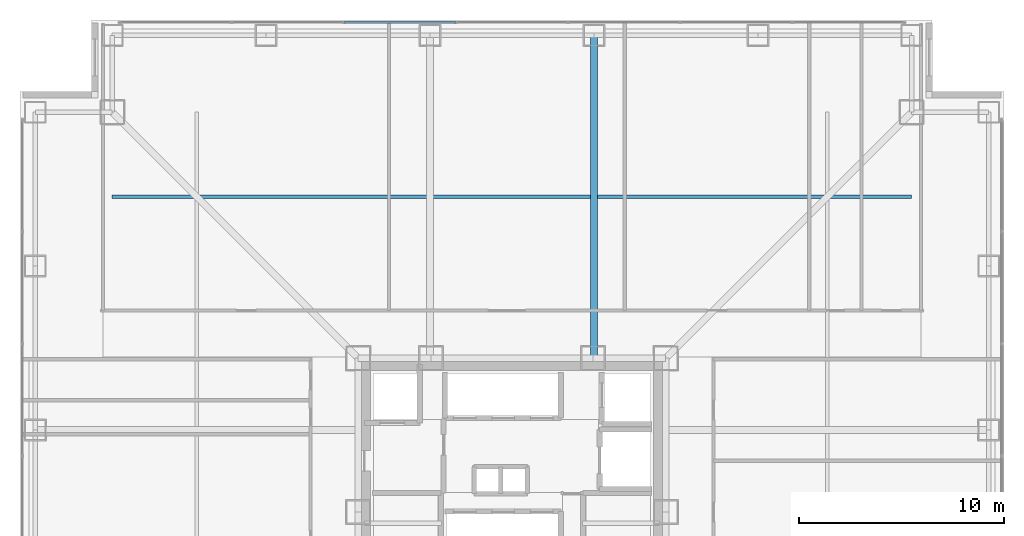
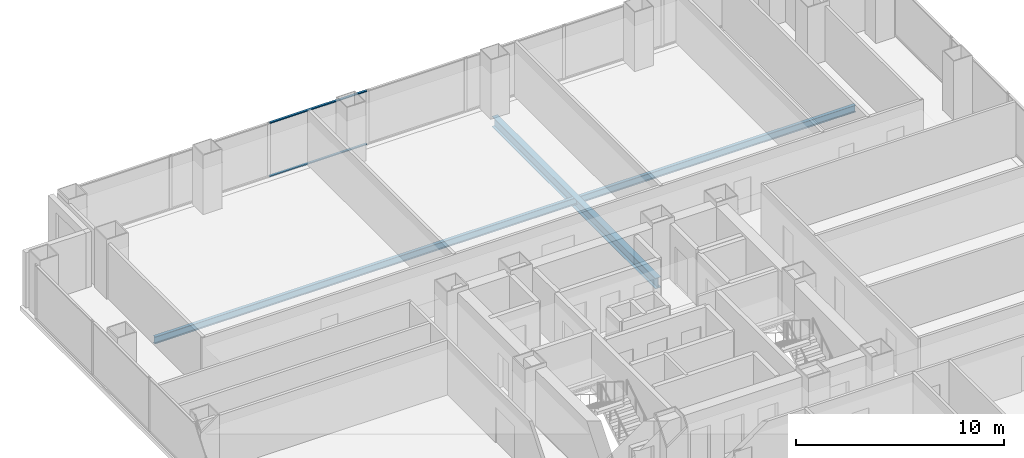
# One storey, part 12 of 19: 2 beams, 2 members, 1 element without a shape of its own.
"""IFC4 building model written with IfcOpenShell, lengths in metres."""

import ifcopenshell
import ifcopenshell.guid

model = None  # the IFC model being written
_history = None  # IfcOwnerHistory: only IFC2X3 demands one
_inside = {}  # id of a spatial element -> (the spatial element, [elements in it])
_under = {}  # id of a project, library or spatial element -> (it, [spatial elements below it])
_declared = {}  # id of a project -> (the project, [libraries it declares])
_typed = {}  # id of a type object -> (the type object, [elements of that type])
_made_of = {}  # id of a material, layer set ... -> (it, [elements and type objects made of it])


def new_model(schema):
    """Start an empty IFC model of exactly this schema.

    Asked for "IFC4X3", IfcOpenShell would pick the latest addendum, in which some entities
    have other attributes; the version numbers below select the first issue.
    IFC2X3 requires an IfcOwnerHistory on every rooted entity: one is made here for all.
    """
    global model, _history
    if schema == "IFC4X3":
        model = ifcopenshell.file(schema_version=(4, 3, 0, 0))
    else:
        model = ifcopenshell.file(schema=schema)
    _inside.clear()
    _under.clear()
    _declared.clear()
    _typed.clear()
    _made_of.clear()
    _history = None
    if model.schema == "IFC2X3":
        org = make("IfcOrganization", Name="unknown")
        user = make(
            "IfcPersonAndOrganization",
            ThePerson=make("IfcPerson", FamilyName="unknown"),
            TheOrganization=org,
        )
        app = make(
            "IfcApplication",
            ApplicationDeveloper=org,
            Version="unknown",
            ApplicationFullName="unknown",
            ApplicationIdentifier="unknown",
        )
        _history = make(
            "IfcOwnerHistory",
            OwningUser=user,
            OwningApplication=app,
            ChangeAction="ADDED",
            CreationDate=0,
        )
    return model


def make(cls, **values):
    """One entity of the class cls with the attributes given. An attribute that is None is left unset."""
    return model.create_entity(
        cls, **{name: value for name, value in values.items() if value is not None}
    )


def rooted(cls, **values):
    """An entity with a GlobalId (a new one), such as an element, a storey or a relation."""
    return make(cls, GlobalId=ifcopenshell.guid.new(), OwnerHistory=_history, **values)


def si_unit(unit_type, name, prefix=None):
    """IfcSIUnit, for example si_unit("LENGTHUNIT", "METRE", prefix="MILLI")."""
    return make("IfcSIUnit", UnitType=unit_type, Prefix=prefix, Name=name)


def assignment(units):
    """IfcUnitAssignment: the units of a project."""
    return None if units is None else make("IfcUnitAssignment", Units=units)


def point(xyz):
    """IfcCartesianPoint."""
    return None if xyz is None else make("IfcCartesianPoint", Coordinates=xyz)


def direction(xyz):
    """IfcDirection."""
    return None if xyz is None else make("IfcDirection", DirectionRatios=xyz)


def frame(location, z_axis=None, x_axis=None):
    """IfcAxis2Placement3D, a coordinate frame: its origin and axes. An axis left out is left unset."""
    return make(
        "IfcAxis2Placement3D",
        Location=point(location),
        Axis=direction(z_axis),
        RefDirection=direction(x_axis),
    )


def frame_2d(location, x_axis=None):
    """IfcAxis2Placement2D, a coordinate frame in the plane: its origin and x axis."""
    return make(
        "IfcAxis2Placement2D", Location=point(location), RefDirection=direction(x_axis)
    )


def origin():
    """The frame at (0, 0, 0) with its axes left unset."""
    return frame((0.0, 0.0, 0.0))


def origin_2d():
    """The frame at (0, 0) in the plane with its x axis left unset."""
    return frame_2d((0.0, 0.0))


def place(relative_to, where):
    """IfcLocalPlacement: puts the frame where relative to a parent placement (None: the world)."""
    return make(
        "IfcLocalPlacement", PlacementRelTo=relative_to, RelativePlacement=where
    )


def context(
    kind, dimensions, precision=None, world=None, true_north=None, identifier=None
):
    """IfcGeometricRepresentationContext, for example the 3D "Model" context."""
    return make(
        "IfcGeometricRepresentationContext",
        ContextIdentifier=identifier,
        ContextType=kind,
        CoordinateSpaceDimension=dimensions,
        Precision=precision,
        WorldCoordinateSystem=world,
        TrueNorth=true_north,
    )


def subcontext(parent, identifier, kind, view, scale=None):
    """IfcGeometricRepresentationSubContext, for example "Body" below "Model"."""
    return make(
        "IfcGeometricRepresentationSubContext",
        ContextIdentifier=identifier,
        ContextType=kind,
        ParentContext=parent,
        TargetScale=scale,
        TargetView=view,
    )


def project(units=None, contexts=None):
    """IfcProject with its units and contexts."""
    return rooted(
        "IfcProject",
        Name="project",
        RepresentationContexts=contexts,
        UnitsInContext=assignment(units),
    )


def spatial(cls, under=None, at=None, **own):
    """A site, building, storey or space (cls), placed at a placement, below another one or the project."""
    s = rooted(cls, ObjectPlacement=at, **own)
    if under is not None:
        _under.setdefault(under.id(), (under, []))[1].append(s)
    return s


def profile(cls, at=None, kind="AREA", **sizes):
    """A parametric profile (cls). Its sizes go by their IFC names, for example OverallWidth=200.0."""
    return make(cls, ProfileType=kind, Position=at, **sizes)


def rectangle(**sizes):
    """IfcRectangleProfileDef."""
    return profile("IfcRectangleProfileDef", **sizes)


def i_section(**sizes):
    """IfcIShapeProfileDef."""
    return profile("IfcIShapeProfileDef", **sizes)


def extrude(swept, where, along, depth):
    """IfcExtrudedAreaSolid: the profile swept, set in the frame where, extruded along a direction by depth."""
    return make(
        "IfcExtrudedAreaSolid",
        SweptArea=swept,
        Position=where,
        ExtrudedDirection=direction(along),
        Depth=depth,
    )


def shape(context_of_items, identifier, shape_type, items):
    """IfcShapeRepresentation: the items that make up one representation, for example the "Body"."""
    return make(
        "IfcShapeRepresentation",
        ContextOfItems=context_of_items,
        RepresentationIdentifier=identifier,
        RepresentationType=shape_type,
        Items=items,
    )


def material(Name=None, Category=None):
    """IfcMaterial."""
    return make("IfcMaterial", Name=Name, Category=Category)


def layer(
    of_material, thickness, ventilated=None, Name=None, Category=None, Priority=None
):
    """IfcMaterialLayer: one layer of a wall or slab, of a material (None: an air gap)."""
    return make(
        "IfcMaterialLayer",
        Material=of_material,
        LayerThickness=thickness,
        IsVentilated=ventilated,
        Name=Name,
        Category=Category,
        Priority=Priority,
    )


def layer_set(layers, Name=None):
    """IfcMaterialLayerSet."""
    return make("IfcMaterialLayerSet", MaterialLayers=layers, LayerSetName=Name)


def material_profile(
    of_material, cross_section, Name=None, Category=None, Priority=None
):
    """IfcMaterialProfile: a cross section and its material."""
    return make(
        "IfcMaterialProfile",
        Name=Name,
        Material=of_material,
        Profile=cross_section,
        Priority=Priority,
        Category=Category,
    )


def profile_set(profiles, Name=None, composite=None):
    """IfcMaterialProfileSet."""
    return make(
        "IfcMaterialProfileSet",
        Name=Name,
        MaterialProfiles=profiles,
        CompositeProfile=composite,
    )


def made_of(thing, what):
    """Note that an element or type object is made of a material, layer set ...; save() writes the relation."""
    if what is not None:
        _made_of.setdefault(what.id(), (what, []))[1].append(thing)
    return thing


def type_object(cls, material=None, **own):
    """A type object (cls), such as IfcWallType, which elements share."""
    return made_of(rooted(cls, **own), material)


def element(
    cls,
    number,
    at=None,
    inside=None,
    cuts=None,
    type_object=None,
    material=None,
    context=None,
    identifier="Body",
    shape_type=None,
    held_by="IfcProductDefinitionShape",
    body=None,
    shapes=None,
    **own,
):
    """One element of the class cls, such as IfcWall. Its Tag is "e" and its number.

    at: its placement. inside: the storey or other place that contains it. cuts: it is an
    opening in that element (IfcRelVoidsElement). A single representation is given by context,
    identifier, shape_type and body (its items); several are given by shapes. held_by: the class
    of the entity that holds the representations. save() writes the other relations.
    """
    e = rooted(cls, Tag="e%d" % number, ObjectPlacement=at, **own)
    if body is not None:
        shapes = [shape(context, identifier, shape_type, body)]
    if shapes is not None:
        e.Representation = make(held_by, Representations=shapes)
    if inside is not None:
        _inside.setdefault(inside.id(), (inside, []))[1].append(e)
    if cuts is not None:
        rooted(
            "IfcRelVoidsElement", RelatingBuildingElement=cuts, RelatedOpeningElement=e
        )
    if type_object is not None:
        _typed.setdefault(type_object.id(), (type_object, []))[1].append(e)
    return made_of(e, material)


def aggregate(whole, parts):
    """IfcRelAggregates: a whole, such as a stair, and the parts it consists of."""
    return rooted("IfcRelAggregates", RelatingObject=whole, RelatedObjects=parts)


def save(model, path):
    """Write the relations noted so far, then the file.

    IfcRelAggregates (storeys below a building ...), IfcRelContainedInSpatialStructure (elements
    in a storey), IfcRelDefinesByType, IfcRelAssociatesMaterial and IfcRelDeclares: one each for
    every whole, place, type object, material and project.
    """
    for whole, parts in _under.values():
        aggregate(whole, parts)
    for where, things in _inside.values():
        rooted(
            "IfcRelContainedInSpatialStructure",
            RelatedElements=things,
            RelatingStructure=where,
        )
    for kind, things in _typed.values():
        rooted("IfcRelDefinesByType", RelatedObjects=things, RelatingType=kind)
    for what, things in _made_of.values():
        rooted("IfcRelAssociatesMaterial", RelatedObjects=things, RelatingMaterial=what)
    for by, libraries in _declared.values():
        rooted("IfcRelDeclares", RelatingContext=by, RelatedDefinitions=libraries)
    model.write(path)


model = new_model("IFC4")

# Units and contexts
model_context = context("Model", 3, precision=1e-05, world=origin(), true_north=direction((0.0, 1.0)))
body_context = subcontext(model_context, "Body", "Model", "MODEL_VIEW")
ifc_project = project(units=[si_unit("LENGTHUNIT", "METRE"), si_unit("AREAUNIT", "SQUARE_METRE"), si_unit("VOLUMEUNIT", "CUBIC_METRE"), si_unit("PLANEANGLEUNIT", "RADIAN"), si_unit("MASSUNIT", "GRAM", prefix="KILO")], contexts=[model_context])

# Site, building, storey
site_placement = place(None, origin())
site = spatial("IfcSite", under=ifc_project, at=site_placement, CompositionType="ELEMENT")
building_placement = place(site_placement, origin())
building = spatial("IfcBuilding", under=site, at=building_placement, Name="Trevonay Congress Spire", CompositionType="ELEMENT")
storey_placement = place(building_placement, frame((0.0, 0.0, 41.0)))
storey = spatial("IfcBuildingStorey", under=building, at=storey_placement, Name="L09", CompositionType="ELEMENT", Elevation=41.0)

# Beam
ifc_material_1 = material(Name="Steel ASTM A572 Grade 50", Category="steel")
ifc_material_profile_1 = material_profile(ifc_material_1, i_section(OverallWidth=0.324951171875, OverallDepth=0.615966796875, WebThickness=0.013916015625, FlangeThickness=0.021484375, FilletRadius=0.01806640625, at=origin_2d()), Name="W610x174")
ifc_profile_set_1 = profile_set([ifc_material_profile_1], Name="Steel ASTM A572 Grade 50")
beam_type_1 = type_object("IfcBeamType", Name="BM-GIRD-W610X174", PredefinedType="BEAM", material=ifc_profile_set_1)
beam_1_placement = place(storey_placement, frame((4.0, 7.5, -0.55810546875), z_axis=(0.0, 1.0, 0.0), x_axis=(-1.0, 0.0, 0.0)))
element("IfcBeam", 1, at=beam_1_placement, inside=storey, type_object=beam_type_1, Name="L09 structural beam BM-L09-GN-P", PredefinedType="BEAM", context=body_context, shape_type="SweptSolid", body=[
    extrude(i_section(OverallWidth=0.324951171875, OverallDepth=0.615966796875, WebThickness=0.013916015625, FlangeThickness=0.021484375, FilletRadius=0.01806640625, at=origin_2d()), origin(), (0.0, 0.0, 1.0), 15.75),
])

# Curtain wall, members
ifc_material_2 = material(Name="Pale Anodised Aluminium EN AW-6063-T6", Category="aluminium")
ifc_layer = layer(ifc_material_2, 0.179931640625, Name="Pale Anodised Aluminium EN AW-6063-T6")
ifc_layer_set = layer_set([ifc_layer], Name="Pale Anodised Aluminium EN AW-6063-T6")
curtain_wall_type = type_object("IfcCurtainWallType", Name="CW-SYS02-HOTEL-PALE-METAL", PredefinedType="NOTDEFINED", material=ifc_layer_set)
curtain_wall_placement = place(storey_placement, origin())
curtain_wall = element("IfcCurtainWall", 2, at=curtain_wall_placement, inside=storey, type_object=curtain_wall_type, Name="L09 N unitised curtain wall", PredefinedType="NOTDEFINED")
ifc_material_profile_2 = material_profile(ifc_material_2, rectangle(XDim=0.1201171875, YDim=0.06005859375, at=origin_2d()), Name="CW-TRANSOM-120-ALUMINIUM")
ifc_profile_set_2 = profile_set([ifc_material_profile_2], Name="Pale Anodised Aluminium EN AW-6063-T6")
member_type = type_object("IfcMemberType", Name="CW-TRANSOM-120-ALUMINIUM", PredefinedType="USERDEFINED", material=ifc_profile_set_2)
member_1_placement = place(storey_placement, frame((-8.17724609375, 23.8798828125, 0.06005859375), z_axis=(1.0, 0.0, 0.0), x_axis=(0.0, 1.0, 0.0)))
member_1 = element("IfcMember", 3, at=member_1_placement, type_object=member_type, Name="CW02 transom 3.1", ObjectType="TRANSOM", PredefinedType="USERDEFINED", context=body_context, shape_type="SweptSolid", body=[
    extrude(rectangle(XDim=0.1201171875, YDim=0.06005859375, at=origin_2d()), origin(), (0.0, 0.0, 1.0), 5.41162109375),
])
member_2_placement = place(storey_placement, frame((-8.17724609375, 23.8798828125, 3.18994140625), z_axis=(1.0, 0.0, 0.0), x_axis=(0.0, 1.0, 0.0)))
member_2 = element("IfcMember", 4, at=member_2_placement, type_object=member_type, Name="CW02 transom 3.2", ObjectType="TRANSOM", PredefinedType="USERDEFINED", context=body_context, shape_type="SweptSolid", body=[
    extrude(rectangle(XDim=0.1201171875, YDim=0.06005859375, at=origin_2d()), origin(), (0.0, 0.0, 1.0), 5.41162109375),
])
aggregate(curtain_wall, [member_1, member_2])

# Beam
ifc_material_profile_3 = material_profile(ifc_material_1, i_section(OverallWidth=0.177978515625, OverallDepth=0.406982421875, WebThickness=0.0078125, FlangeThickness=0.0126953125, FilletRadius=0.012939453125, at=origin_2d()), Name="W410x60")
ifc_profile_set_3 = profile_set([ifc_material_profile_3], Name="Steel ASTM A572 Grade 50")
beam_type_2 = type_object("IfcBeamType", Name="JS-COMP-W410X60", PredefinedType="JOIST", material=ifc_profile_set_3)
beam_2_placement = place(storey_placement, frame((-19.5, 15.375, -0.45361328125), z_axis=(1.0, 0.0, 0.0), x_axis=(0.0, 1.0, 0.0)))
element("IfcBeam", 5, at=beam_2_placement, inside=storey, type_object=beam_type_2, Name="L09 structural beam JS-L09-RING-N", PredefinedType="JOIST", context=body_context, shape_type="SweptSolid", body=[
    extrude(i_section(OverallWidth=0.177978515625, OverallDepth=0.406982421875, WebThickness=0.0078125, FlangeThickness=0.0126953125, FilletRadius=0.012939453125, at=origin_2d()), origin(), (0.0, 0.0, 1.0), 39.0),
])

save(model, "model.ifc")
